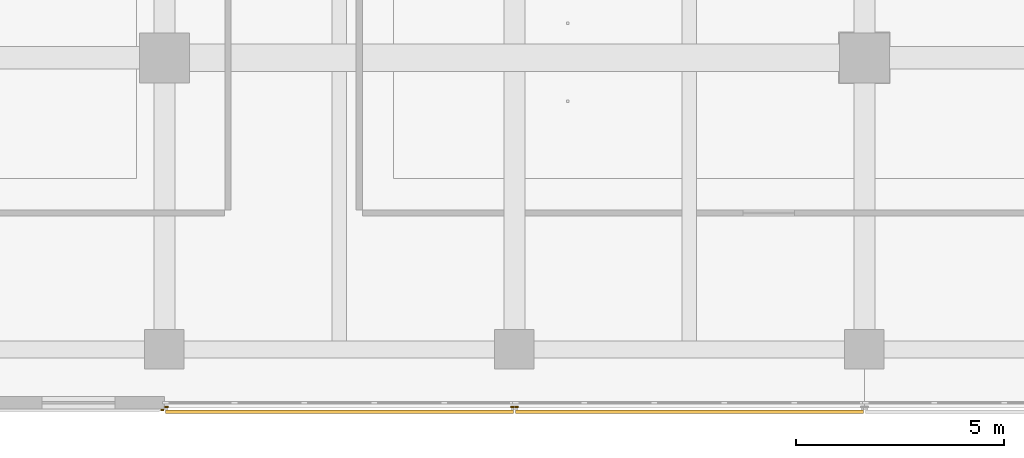
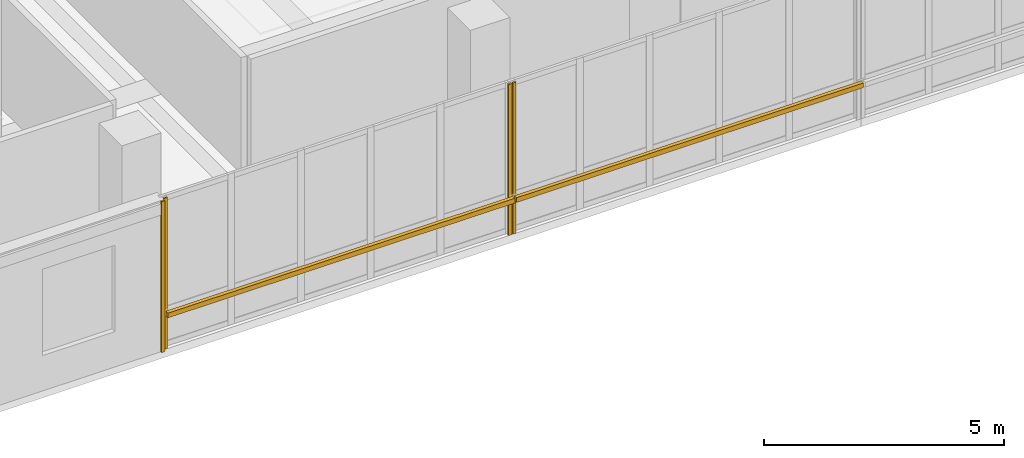
# One storey, part 92 of 128: 4 coverings, 2 shading devices.
"""IFC4 building model written with IfcOpenShell, lengths in metres."""

from ifc_helpers import new_model, si_unit, direction, frame, origin, origin_2d, place, context, subcontext, project, spatial, rectangle, extrude, material, layer, layer_set, type_object, element, save


model = new_model("IFC4")

# Units and contexts
model_context = context("Model", 3, precision=1e-05, world=origin(), true_north=direction((0.0, 1.0)))
body_context = subcontext(model_context, "Body", "Model", "MODEL_VIEW")
ifc_project = project(units=[si_unit("LENGTHUNIT", "METRE"), si_unit("AREAUNIT", "SQUARE_METRE"), si_unit("VOLUMEUNIT", "CUBIC_METRE"), si_unit("PLANEANGLEUNIT", "RADIAN"), si_unit("MASSUNIT", "GRAM", prefix="KILO")], contexts=[model_context])

# Site, building, storey
site_placement = place(None, origin())
site = spatial("IfcSite", under=ifc_project, at=site_placement, CompositionType="ELEMENT")
building_placement = place(site_placement, origin())
building = spatial("IfcBuilding", under=site, at=building_placement, Name="Telukmera Botanical Conservatory", CompositionType="ELEMENT")
storey_placement = place(building_placement, frame((0.0, 0.0, 5.39990234375)))
storey = spatial("IfcBuildingStorey", under=building, at=storey_placement, Name="L01", CompositionType="ELEMENT", Elevation=5.39990234375)

# Coverings
ifc_material_1 = material(Name="Granite-faced precast concrete C40/50", Category="masonry")
ifc_layer_1 = layer(ifc_material_1, 0.0400390625)
ifc_layer_set_1 = layer_set([ifc_layer_1], Name="Granite-faced precast concrete C40/50")
covering_type = type_object("IfcCoveringType", Name="Granite Precast Column Pier Reveal Casing", PredefinedType="CLADDING", material=ifc_layer_set_1)
for number, where, z_axis, x_axis, name in (
    (1, (58.748046875, 9.14990234375, 0.0), (0.0, 0.0, 1.0), (1.0, 0.0, 0.0), "Granite Pier Reveal V4:L01:S1 R"),
    (2, (58.85205078125, 9.219970703125, 0.0), (0.0, 0.0, 1.0), (1.0, 0.0, 0.0), "Granite Pier Reveal V4:L01:S2 L"),
    (3, (67.14794921875, 9.219970703125, 0.0), (0.0, 0.0, 1.0), (1.0, 0.0, 0.0), "Granite Pier Reveal V4:L01:S2 R"),
    (4, (67.251953125, 9.219970703125, 0.0), (0.0, 0.0, 1.0), (1.0, 0.0, 0.0), "Granite Pier Reveal V4:L01:S3 L"),
):
    element("IfcCovering", number, at=place(storey_placement, frame(where, z_axis=z_axis, x_axis=x_axis)), inside=storey, type_object=covering_type, Name=name, PredefinedType="CLADDING", context=body_context, shape_type="SweptSolid", body=[
        extrude(rectangle(XDim=0.080078125, YDim=0.0400390625, at=origin_2d()), origin(), (0.0, 0.0, 1.0), 3.85009765625),
    ])

# Shading devices
ifc_material_2 = material(Name="Perforated terracotta-anodised aluminium 6063-T6", Category="masonry")
ifc_layer_2 = layer(ifc_material_2, 0.044921875)
ifc_layer_set_2 = layer_set([ifc_layer_2], Name="Perforated terracotta-anodised aluminium 6063-T6")
shading_device_type = type_object("IfcShadingDeviceType", Name="Perforated Terracotta Aluminium Monsoon Brise Soleil", PredefinedType="JALOUSIE", material=ifc_layer_set_2)
for number, where, z_axis, x_axis, name in (
    (5, (63.0, 9.10498046875, 0.89013671875), (0.0, 0.0, 1.0), (1.0, 0.0, 0.0), "Monsoon Shading BS01 V4:L01:S2"),
    (6, (71.39990234375, 9.10498046875, 0.89013671875), (0.0, 0.0, 1.0), (1.0, 0.0, 0.0), "Monsoon Shading BS01 V4:L01:S3"),
):
    element("IfcShadingDevice", number, at=place(storey_placement, frame(where, z_axis=z_axis, x_axis=x_axis)), inside=storey, type_object=shading_device_type, Name=name, PredefinedType="JALOUSIE", context=body_context, shape_type="SweptSolid", body=[
        extrude(rectangle(XDim=8.35595703125, YDim=0.090087890625, at=origin_2d()), origin(), (0.0, 0.0, 1.0), 0.1201171875),
    ])

save(model, "model.ifc")
